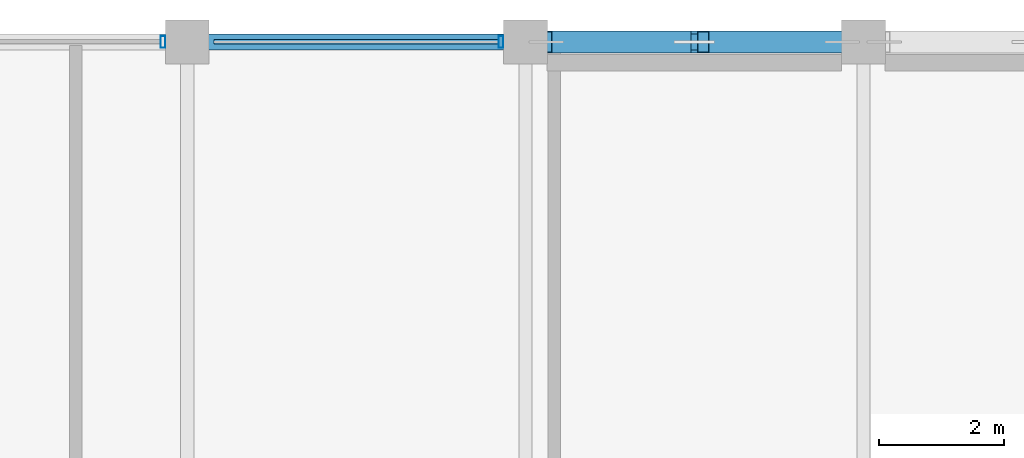
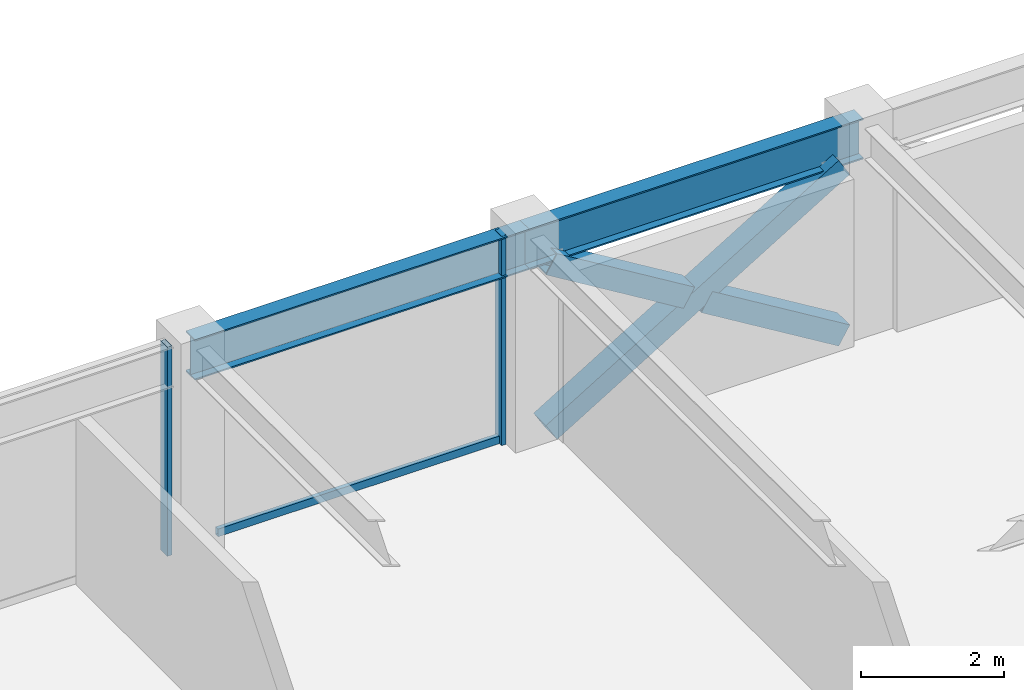
# One storey, part 17 of 31: 6 members, 2 beams, 1 element without a shape of its own.
"""IFC4 building model written with IfcOpenShell, lengths in metres."""

from ifc_helpers import new_model, si_unit, direction, frame, origin, origin_2d, place, context, subcontext, project, spatial, hollow_rectangle, i_section, extrude, material, layer, layer_set, material_profile, profile_set, type_object, element, aggregate, save


model = new_model("IFC4")

# Units and contexts
model_context = context("Model", 3, precision=1e-05, world=origin(), true_north=direction((0.0, 1.0)))
body_context = subcontext(model_context, "Body", "Model", "MODEL_VIEW")
ifc_project = project(units=[si_unit("LENGTHUNIT", "METRE"), si_unit("AREAUNIT", "SQUARE_METRE"), si_unit("VOLUMEUNIT", "CUBIC_METRE"), si_unit("PLANEANGLEUNIT", "RADIAN"), si_unit("MASSUNIT", "GRAM", prefix="KILO")], contexts=[model_context])

# Site, building, storey
site_placement = place(None, origin())
site = spatial("IfcSite", under=ifc_project, at=site_placement, CompositionType="ELEMENT")
building_placement = place(site_placement, origin())
building = spatial("IfcBuilding", under=site, at=building_placement, Name="Surkhivell Harbour Commons", CompositionType="ELEMENT")
storey_placement = place(building_placement, frame((0.0, 0.0, 322.5)))
storey = spatial("IfcBuildingStorey", under=building, at=storey_placement, Name="L84", CompositionType="ELEMENT", Elevation=322.5)

# Beams
ifc_material_1 = material(Name="Steel S355", Category="steel")
ifc_material_profile_1 = material_profile(ifc_material_1, i_section(OverallWidth=0.256103515625, OverallDepth=0.693115234375, WebThickness=0.014404296875, FlangeThickness=0.023681640625, at=origin_2d()), Name="UB686x254x170")
ifc_profile_set_1 = profile_set([ifc_material_profile_1], Name="Steel S355")
beam_type = type_object("IfcBeamType", Name="BM-SPN-686", PredefinedType="SPANDREL", material=ifc_profile_set_1)
beam_1_placement = place(storey_placement, frame((-10.800048828125, 25.89990234375, 3.223388671875), z_axis=(1.0, 0.0, 0.0), x_axis=(0.0, 1.0, 0.0)))
element("IfcBeam", 1, at=beam_1_placement, inside=storey, type_object=beam_type, Name="L84 Tube Spandrel (-10.8,25.9)", PredefinedType="SPANDREL", context=body_context, shape_type="SweptSolid", body=[
    extrude(i_section(OverallWidth=0.256103515625, OverallDepth=0.693115234375, WebThickness=0.014404296875, FlangeThickness=0.023681640625, at=origin_2d()), origin(), (0.0, 0.0, 1.0), 5.400146484375),
])
beam_2_placement = place(storey_placement, frame((-5.39990234375, 25.89990234375, 3.223388671875), z_axis=(1.0, 0.0, 0.0), x_axis=(0.0, 1.0, 0.0)))
element("IfcBeam", 2, at=beam_2_placement, inside=storey, type_object=beam_type, Name="L84 Tube Spandrel (-5.4,25.9)", PredefinedType="SPANDREL", context=body_context, shape_type="SweptSolid", body=[
    extrude(i_section(OverallWidth=0.256103515625, OverallDepth=0.693115234375, WebThickness=0.014404296875, FlangeThickness=0.023681640625, at=origin_2d()), origin(), (0.0, 0.0, 1.0), 5.39990234375),
])

# Curtain wall, members
ifc_material_2 = material(Name="Anodised pale-metal aluminium and insulated glazing", Category="aluminium")
ifc_layer = layer(ifc_material_2, 0.175048828125)
ifc_layer_set = layer_set([ifc_layer], Name="Anodised pale-metal aluminium and insulated glazing")
curtain_wall_type = type_object("IfcCurtainWallType", Name="CW-SYS-Z4", PredefinedType="NOTDEFINED", material=ifc_layer_set)
curtain_wall_placement = place(storey_placement, origin())
curtain_wall = element("IfcCurtainWall", 3, at=curtain_wall_placement, inside=storey, type_object=curtain_wall_type, Name="L84 Curtain Wall CW-L84-E07S2", PredefinedType="NOTDEFINED")
ifc_material_3 = material(Name="Anodised pale-metal aluminium alloy 6063-T6", Category="aluminium")
ifc_material_profile_2 = material_profile(ifc_material_3, hollow_rectangle(XDim=0.074951171875, YDim=0.18994140625, WallThickness=0.00390625, at=origin_2d()), Name="ALU-MULL-75x190")
ifc_profile_set_2 = profile_set([ifc_material_profile_2], Name="Anodised pale-metal aluminium alloy 6063-T6")
member_type_1 = type_object("IfcMemberType", Name="CWM-190", PredefinedType="MULLION", material=ifc_profile_set_2)
member_1_placement = place(storey_placement, frame((-5.78955078125, 25.89990234375, 0.0), z_axis=(0.0, 0.0, 1.0), x_axis=(-1.0, 0.0, 0.0)))
member_1 = element("IfcMember", 4, at=member_1_placement, type_object=member_type_1, Name="CW-Z4 mullion 1", PredefinedType="MULLION", context=body_context, shape_type="SweptSolid", body=[
    extrude(hollow_rectangle(XDim=0.074951171875, YDim=0.18994140625, WallThickness=0.00390625, at=origin_2d()), origin(), (0.0, 0.0, 1.0), 3.570068359375),
])
member_2_placement = place(storey_placement, frame((-11.189453125, 25.89990234375, 0.0), z_axis=(0.0, 0.0, 1.0), x_axis=(-1.0, 0.0, 0.0)))
member_2 = element("IfcMember", 5, at=member_2_placement, type_object=member_type_1, Name="CW-Z4 mullion 2", PredefinedType="MULLION", context=body_context, shape_type="SweptSolid", body=[
    extrude(hollow_rectangle(XDim=0.074951171875, YDim=0.18994140625, WallThickness=0.00390625, at=origin_2d()), origin(), (0.0, 0.0, 1.0), 3.570068359375),
])
ifc_material_4 = material(Name="Champagne anodised aluminium alloy 6063-T6", Category="aluminium")
ifc_material_profile_3 = material_profile(ifc_material_4, hollow_rectangle(XDim=0.070068359375, YDim=0.1298828125, WallThickness=0.00341796875, at=origin_2d()), Name="ALU-TRAN-70x130")
ifc_profile_set_3 = profile_set([ifc_material_profile_3], Name="Champagne anodised aluminium alloy 6063-T6")
member_type_2 = type_object("IfcMemberType", Name="CWT-130", PredefinedType="USERDEFINED", material=ifc_profile_set_3)
member_3_placement = place(storey_placement, frame((-5.826904296875, 25.89990234375, 0.06494140625), z_axis=(-1.0, 0.0, 0.0), x_axis=(0.0, -1.0, 0.0)))
member_3 = element("IfcMember", 6, at=member_3_placement, type_object=member_type_2, Name="CW-Z4 transom 1.1", ObjectType="TRANSOM", PredefinedType="USERDEFINED", context=body_context, shape_type="SweptSolid", body=[
    extrude(hollow_rectangle(XDim=0.070068359375, YDim=0.1298828125, WallThickness=0.00341796875, at=origin_2d()), origin(), (0.0, 0.0, 1.0), 4.546142578125),
])
aggregate(curtain_wall, [member_1, member_3, member_2])

# Members
ifc_material_profile_4 = material_profile(ifc_material_1, hollow_rectangle(XDim=0.35009765625, YDim=0.35009765625, WallThickness=0.01611328125, at=origin_2d()), Name="SHS350x350x16")
ifc_profile_set_4 = profile_set([ifc_material_profile_4], Name="Steel S355")
member_type_3 = type_object("IfcMemberType", Name="MEM-BRC-SHS350", PredefinedType="BRACE", material=ifc_profile_set_4)
member_4_placement = place(storey_placement, frame((-5.06494140625, 25.89990234375, 0.008056640625), z_axis=(0.854685454322, 0.0, 0.519146197299), x_axis=(0.0, 1.0, 0.0)))
element("IfcMember", 7, at=member_4_placement, inside=storey, type_object=member_type_3, Name="L84 Perimeter Mega-Brace MB- 01", PredefinedType="BRACE", context=body_context, shape_type="SweptSolid", body=[
    extrude(hollow_rectangle(XDim=0.35009765625, YDim=0.35009765625, WallThickness=0.01611328125, at=origin_2d()), origin(), (0.0, 0.0, 1.0), 5.5341796875),
])
for number, where, z_axis, x_axis, name in (
    (8, (-0.3349609375, 25.89990234375, 0.008056640625), (-0.854678858595, 0.0, 0.51915705588), (0.0, -1.0, 0.0), "L84 Perimeter Mega-Brace MB- 02"),
    (9, (-2.843505859375, 25.89990234375, 1.53173828125), (-0.854678858595, 0.0, 0.51915705588), (0.0, -1.0, 0.0), "L84 Perimeter Mega-Brace MB- 03"),
):
    element("IfcMember", number, at=place(storey_placement, frame(where, z_axis=z_axis, x_axis=x_axis)), inside=storey, type_object=member_type_3, Name=name, PredefinedType="BRACE", context=body_context, shape_type="SweptSolid", body=[
        extrude(hollow_rectangle(XDim=0.35009765625, YDim=0.35009765625, WallThickness=0.01611328125, at=origin_2d()), origin(), (0.0, 0.0, 1.0), 2.59912109375),
    ])

save(model, "model.ifc")
